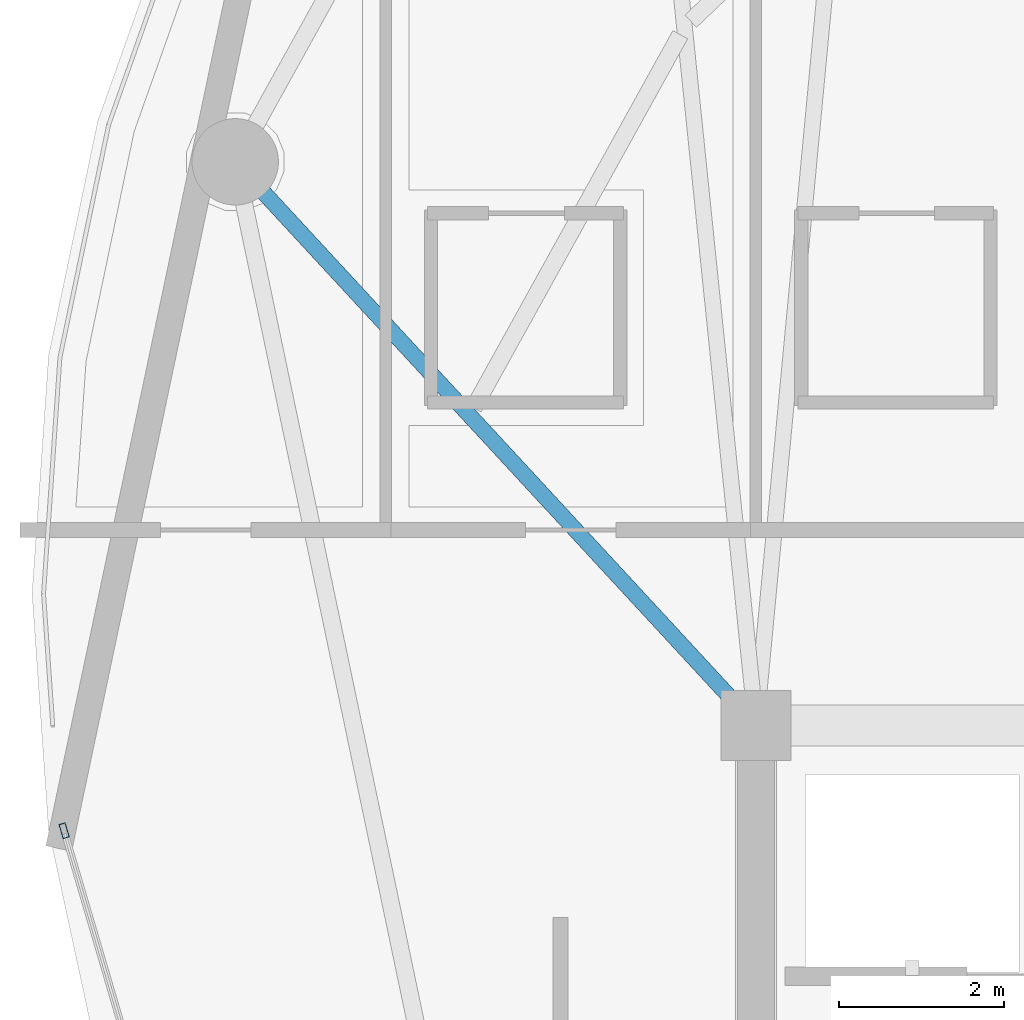
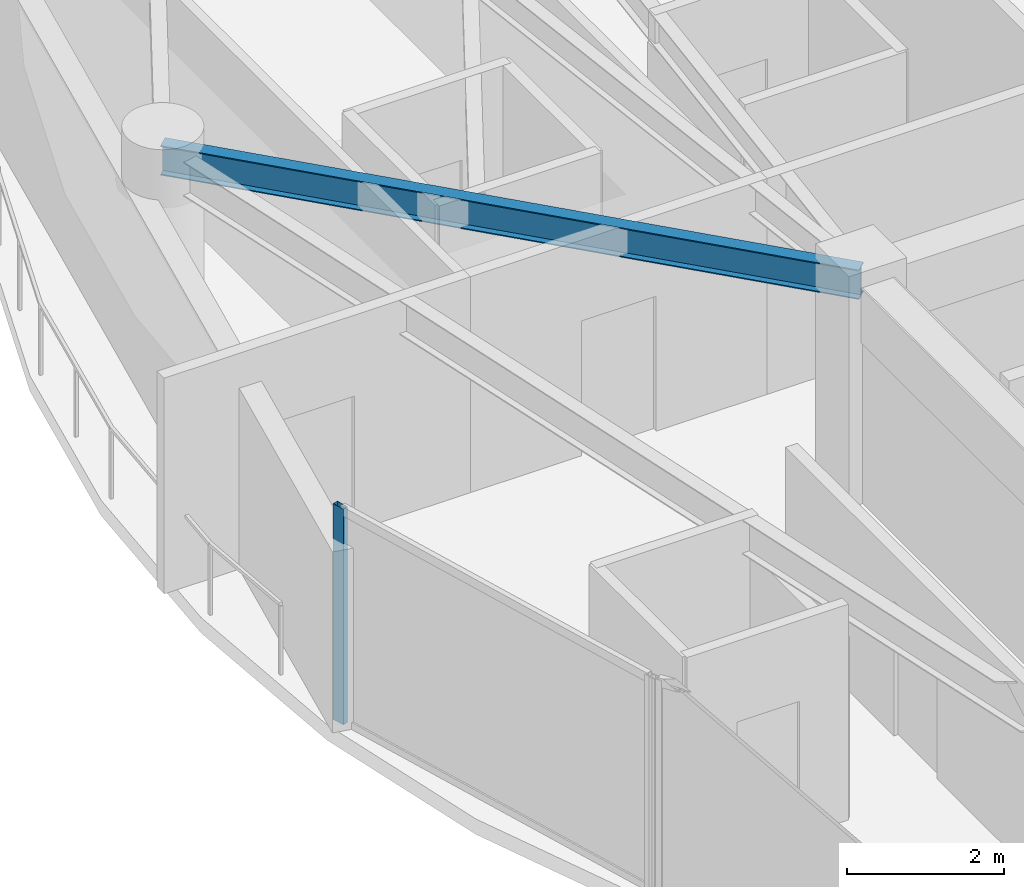
# One storey, part 7 of 29: 1 beam, 1 member, 1 element without a shape of its own.
"""IFC4 building model written with IfcOpenShell, lengths in metres."""

import ifcopenshell
import ifcopenshell.guid

model = None  # the IFC model being written
_history = None  # IfcOwnerHistory: only IFC2X3 demands one
_inside = {}  # id of a spatial element -> (the spatial element, [elements in it])
_under = {}  # id of a project, library or spatial element -> (it, [spatial elements below it])
_declared = {}  # id of a project -> (the project, [libraries it declares])
_typed = {}  # id of a type object -> (the type object, [elements of that type])
_made_of = {}  # id of a material, layer set ... -> (it, [elements and type objects made of it])


def new_model(schema):
    """Start an empty IFC model of exactly this schema.

    Asked for "IFC4X3", IfcOpenShell would pick the latest addendum, in which some entities
    have other attributes; the version numbers below select the first issue.
    IFC2X3 requires an IfcOwnerHistory on every rooted entity: one is made here for all.
    """
    global model, _history
    if schema == "IFC4X3":
        model = ifcopenshell.file(schema_version=(4, 3, 0, 0))
    else:
        model = ifcopenshell.file(schema=schema)
    _inside.clear()
    _under.clear()
    _declared.clear()
    _typed.clear()
    _made_of.clear()
    _history = None
    if model.schema == "IFC2X3":
        org = make("IfcOrganization", Name="unknown")
        user = make(
            "IfcPersonAndOrganization",
            ThePerson=make("IfcPerson", FamilyName="unknown"),
            TheOrganization=org,
        )
        app = make(
            "IfcApplication",
            ApplicationDeveloper=org,
            Version="unknown",
            ApplicationFullName="unknown",
            ApplicationIdentifier="unknown",
        )
        _history = make(
            "IfcOwnerHistory",
            OwningUser=user,
            OwningApplication=app,
            ChangeAction="ADDED",
            CreationDate=0,
        )
    return model


def make(cls, **values):
    """One entity of the class cls with the attributes given. An attribute that is None is left unset."""
    return model.create_entity(
        cls, **{name: value for name, value in values.items() if value is not None}
    )


def rooted(cls, **values):
    """An entity with a GlobalId (a new one), such as an element, a storey or a relation."""
    return make(cls, GlobalId=ifcopenshell.guid.new(), OwnerHistory=_history, **values)


def si_unit(unit_type, name, prefix=None):
    """IfcSIUnit, for example si_unit("LENGTHUNIT", "METRE", prefix="MILLI")."""
    return make("IfcSIUnit", UnitType=unit_type, Prefix=prefix, Name=name)


def assignment(units):
    """IfcUnitAssignment: the units of a project."""
    return None if units is None else make("IfcUnitAssignment", Units=units)


def point(xyz):
    """IfcCartesianPoint."""
    return None if xyz is None else make("IfcCartesianPoint", Coordinates=xyz)


def direction(xyz):
    """IfcDirection."""
    return None if xyz is None else make("IfcDirection", DirectionRatios=xyz)


def frame(location, z_axis=None, x_axis=None):
    """IfcAxis2Placement3D, a coordinate frame: its origin and axes. An axis left out is left unset."""
    return make(
        "IfcAxis2Placement3D",
        Location=point(location),
        Axis=direction(z_axis),
        RefDirection=direction(x_axis),
    )


def frame_2d(location, x_axis=None):
    """IfcAxis2Placement2D, a coordinate frame in the plane: its origin and x axis."""
    return make(
        "IfcAxis2Placement2D", Location=point(location), RefDirection=direction(x_axis)
    )


def origin():
    """The frame at (0, 0, 0) with its axes left unset."""
    return frame((0.0, 0.0, 0.0))


def origin_2d():
    """The frame at (0, 0) in the plane with its x axis left unset."""
    return frame_2d((0.0, 0.0))


def place(relative_to, where):
    """IfcLocalPlacement: puts the frame where relative to a parent placement (None: the world)."""
    return make(
        "IfcLocalPlacement", PlacementRelTo=relative_to, RelativePlacement=where
    )


def context(
    kind, dimensions, precision=None, world=None, true_north=None, identifier=None
):
    """IfcGeometricRepresentationContext, for example the 3D "Model" context."""
    return make(
        "IfcGeometricRepresentationContext",
        ContextIdentifier=identifier,
        ContextType=kind,
        CoordinateSpaceDimension=dimensions,
        Precision=precision,
        WorldCoordinateSystem=world,
        TrueNorth=true_north,
    )


def subcontext(parent, identifier, kind, view, scale=None):
    """IfcGeometricRepresentationSubContext, for example "Body" below "Model"."""
    return make(
        "IfcGeometricRepresentationSubContext",
        ContextIdentifier=identifier,
        ContextType=kind,
        ParentContext=parent,
        TargetScale=scale,
        TargetView=view,
    )


def project(units=None, contexts=None):
    """IfcProject with its units and contexts."""
    return rooted(
        "IfcProject",
        Name="project",
        RepresentationContexts=contexts,
        UnitsInContext=assignment(units),
    )


def spatial(cls, under=None, at=None, **own):
    """A site, building, storey or space (cls), placed at a placement, below another one or the project."""
    s = rooted(cls, ObjectPlacement=at, **own)
    if under is not None:
        _under.setdefault(under.id(), (under, []))[1].append(s)
    return s


def profile(cls, at=None, kind="AREA", **sizes):
    """A parametric profile (cls). Its sizes go by their IFC names, for example OverallWidth=200.0."""
    return make(cls, ProfileType=kind, Position=at, **sizes)


def hollow_rectangle(**sizes):
    """IfcRectangleHollowProfileDef."""
    return profile("IfcRectangleHollowProfileDef", **sizes)


def i_section(**sizes):
    """IfcIShapeProfileDef."""
    return profile("IfcIShapeProfileDef", **sizes)


def extrude(swept, where, along, depth):
    """IfcExtrudedAreaSolid: the profile swept, set in the frame where, extruded along a direction by depth."""
    return make(
        "IfcExtrudedAreaSolid",
        SweptArea=swept,
        Position=where,
        ExtrudedDirection=direction(along),
        Depth=depth,
    )


def shape(context_of_items, identifier, shape_type, items):
    """IfcShapeRepresentation: the items that make up one representation, for example the "Body"."""
    return make(
        "IfcShapeRepresentation",
        ContextOfItems=context_of_items,
        RepresentationIdentifier=identifier,
        RepresentationType=shape_type,
        Items=items,
    )


def material(Name=None, Category=None):
    """IfcMaterial."""
    return make("IfcMaterial", Name=Name, Category=Category)


def layer(
    of_material, thickness, ventilated=None, Name=None, Category=None, Priority=None
):
    """IfcMaterialLayer: one layer of a wall or slab, of a material (None: an air gap)."""
    return make(
        "IfcMaterialLayer",
        Material=of_material,
        LayerThickness=thickness,
        IsVentilated=ventilated,
        Name=Name,
        Category=Category,
        Priority=Priority,
    )


def layer_set(layers, Name=None):
    """IfcMaterialLayerSet."""
    return make("IfcMaterialLayerSet", MaterialLayers=layers, LayerSetName=Name)


def material_profile(
    of_material, cross_section, Name=None, Category=None, Priority=None
):
    """IfcMaterialProfile: a cross section and its material."""
    return make(
        "IfcMaterialProfile",
        Name=Name,
        Material=of_material,
        Profile=cross_section,
        Priority=Priority,
        Category=Category,
    )


def profile_set(profiles, Name=None, composite=None):
    """IfcMaterialProfileSet."""
    return make(
        "IfcMaterialProfileSet",
        Name=Name,
        MaterialProfiles=profiles,
        CompositeProfile=composite,
    )


def made_of(thing, what):
    """Note that an element or type object is made of a material, layer set ...; save() writes the relation."""
    if what is not None:
        _made_of.setdefault(what.id(), (what, []))[1].append(thing)
    return thing


def type_object(cls, material=None, **own):
    """A type object (cls), such as IfcWallType, which elements share."""
    return made_of(rooted(cls, **own), material)


def element(
    cls,
    number,
    at=None,
    inside=None,
    cuts=None,
    type_object=None,
    material=None,
    context=None,
    identifier="Body",
    shape_type=None,
    held_by="IfcProductDefinitionShape",
    body=None,
    shapes=None,
    **own,
):
    """One element of the class cls, such as IfcWall. Its Tag is "e" and its number.

    at: its placement. inside: the storey or other place that contains it. cuts: it is an
    opening in that element (IfcRelVoidsElement). A single representation is given by context,
    identifier, shape_type and body (its items); several are given by shapes. held_by: the class
    of the entity that holds the representations. save() writes the other relations.
    """
    e = rooted(cls, Tag="e%d" % number, ObjectPlacement=at, **own)
    if body is not None:
        shapes = [shape(context, identifier, shape_type, body)]
    if shapes is not None:
        e.Representation = make(held_by, Representations=shapes)
    if inside is not None:
        _inside.setdefault(inside.id(), (inside, []))[1].append(e)
    if cuts is not None:
        rooted(
            "IfcRelVoidsElement", RelatingBuildingElement=cuts, RelatedOpeningElement=e
        )
    if type_object is not None:
        _typed.setdefault(type_object.id(), (type_object, []))[1].append(e)
    return made_of(e, material)


def aggregate(whole, parts):
    """IfcRelAggregates: a whole, such as a stair, and the parts it consists of."""
    return rooted("IfcRelAggregates", RelatingObject=whole, RelatedObjects=parts)


def save(model, path):
    """Write the relations noted so far, then the file.

    IfcRelAggregates (storeys below a building ...), IfcRelContainedInSpatialStructure (elements
    in a storey), IfcRelDefinesByType, IfcRelAssociatesMaterial and IfcRelDeclares: one each for
    every whole, place, type object, material and project.
    """
    for whole, parts in _under.values():
        aggregate(whole, parts)
    for where, things in _inside.values():
        rooted(
            "IfcRelContainedInSpatialStructure",
            RelatedElements=things,
            RelatingStructure=where,
        )
    for kind, things in _typed.values():
        rooted("IfcRelDefinesByType", RelatedObjects=things, RelatingType=kind)
    for what, things in _made_of.values():
        rooted("IfcRelAssociatesMaterial", RelatedObjects=things, RelatingMaterial=what)
    for by, libraries in _declared.values():
        rooted("IfcRelDeclares", RelatingContext=by, RelatedDefinitions=libraries)
    model.write(path)


model = new_model("IFC4")

# Units and contexts
model_context = context("Model", 3, precision=1e-05, world=origin(), true_north=direction((0.0, 1.0)))
body_context = subcontext(model_context, "Body", "Model", "MODEL_VIEW")
ifc_project = project(units=[si_unit("LENGTHUNIT", "METRE"), si_unit("AREAUNIT", "SQUARE_METRE"), si_unit("VOLUMEUNIT", "CUBIC_METRE"), si_unit("PLANEANGLEUNIT", "RADIAN"), si_unit("MASSUNIT", "GRAM", prefix="KILO")], contexts=[model_context])

# Site, building, storey
site_placement = place(None, origin())
site = spatial("IfcSite", under=ifc_project, at=site_placement, CompositionType="ELEMENT")
building_placement = place(site_placement, origin())
building = spatial("IfcBuilding", under=site, at=building_placement, Name="Kazevale Care Tower and Concert Hall", CompositionType="ELEMENT")
storey_placement = place(building_placement, frame((0.0, 0.0, 224.39990234375)))
storey = spatial("IfcBuildingStorey", under=building, at=storey_placement, Name="L59", CompositionType="ELEMENT", Elevation=224.39990234375)

# Curtain wall, member
ifc_material_1 = material(Name="Aluminium 6063-T6 and Low-E Glass", Category="aluminium")
ifc_layer = layer(ifc_material_1, 0.179931640625)
ifc_layer_set = layer_set([ifc_layer], Name="Aluminium 6063-T6 and Low-E Glass")
curtain_wall_type = type_object("IfcCurtainWallType", Name="Waist & Upper Residential Curtain Wall CW-4", PredefinedType="NOTDEFINED", material=ifc_layer_set)
curtain_wall_placement = place(storey_placement, origin())
curtain_wall = element("IfcCurtainWall", 1, at=curtain_wall_placement, inside=storey, type_object=curtain_wall_type, Name="cw:L59:f12", PredefinedType="NOTDEFINED")
ifc_material_2 = material(Name="Aluminium 6063-T6", Category="aluminium")
ifc_material_profile_1 = material_profile(ifc_material_2, hollow_rectangle(XDim=0.080078125, YDim=0.179931640625, WallThickness=0.0048828125, at=origin_2d()), Name="ALU80x180x5")
ifc_profile_set_1 = profile_set([ifc_material_profile_1], Name="Aluminium 6063-T6")
member_type = type_object("IfcMemberType", Name="CW-4 Mullion ALU80x180x5", PredefinedType="MULLION", material=ifc_profile_set_1)
member_placement = place(storey_placement, frame((13.59033203125, 35.11865234375, 0.0), z_axis=(0.0, 0.0, 1.0), x_axis=(-0.959385539982, -0.282098184457, 0.0)))
member = element("IfcMember", 2, at=member_placement, type_object=member_type, Name="CW-4 mullion 2", PredefinedType="MULLION", context=body_context, shape_type="SweptSolid", body=[
    extrude(hollow_rectangle(XDim=0.080078125, YDim=0.179931640625, WallThickness=0.0048828125, at=origin_2d()), origin(), (0.0, 0.0, 1.0), 3.360107421875),
])
aggregate(curtain_wall, [member])

# Beam
ifc_material_3 = material(Name="Steel ASTM A572 Gr 50", Category="steel")
ifc_material_profile_2 = material_profile(ifc_material_3, i_section(OverallWidth=0.19091796875, OverallDepth=0.4599609375, WebThickness=0.010009765625, FlangeThickness=0.01611328125, at=origin_2d()), Name="W460x82")
ifc_profile_set_2 = profile_set([ifc_material_profile_2], Name="Steel ASTM A572 Gr 50")
beam_type = type_object("IfcBeamType", Name="Radial Floor Beam W460x82", PredefinedType="BEAM", material=ifc_profile_set_2)
beam_placement = place(storey_placement, frame((22.0, 36.39990234375, 3.130126953125), z_axis=(-0.678680078581, 0.734434034435, 0.0), x_axis=(-0.734434034435, -0.678680078581, 0.0)))
element("IfcBeam", 3, at=beam_placement, inside=storey, type_object=beam_type, Name="beam:L59:rad:09", PredefinedType="BEAM", context=body_context, shape_type="SweptSolid", body=[
    extrude(i_section(OverallWidth=0.19091796875, OverallDepth=0.4599609375, WebThickness=0.010009765625, FlangeThickness=0.01611328125, at=origin_2d()), origin(), (0.0, 0.0, 1.0), 9.3271484375),
])

save(model, "model.ifc")
